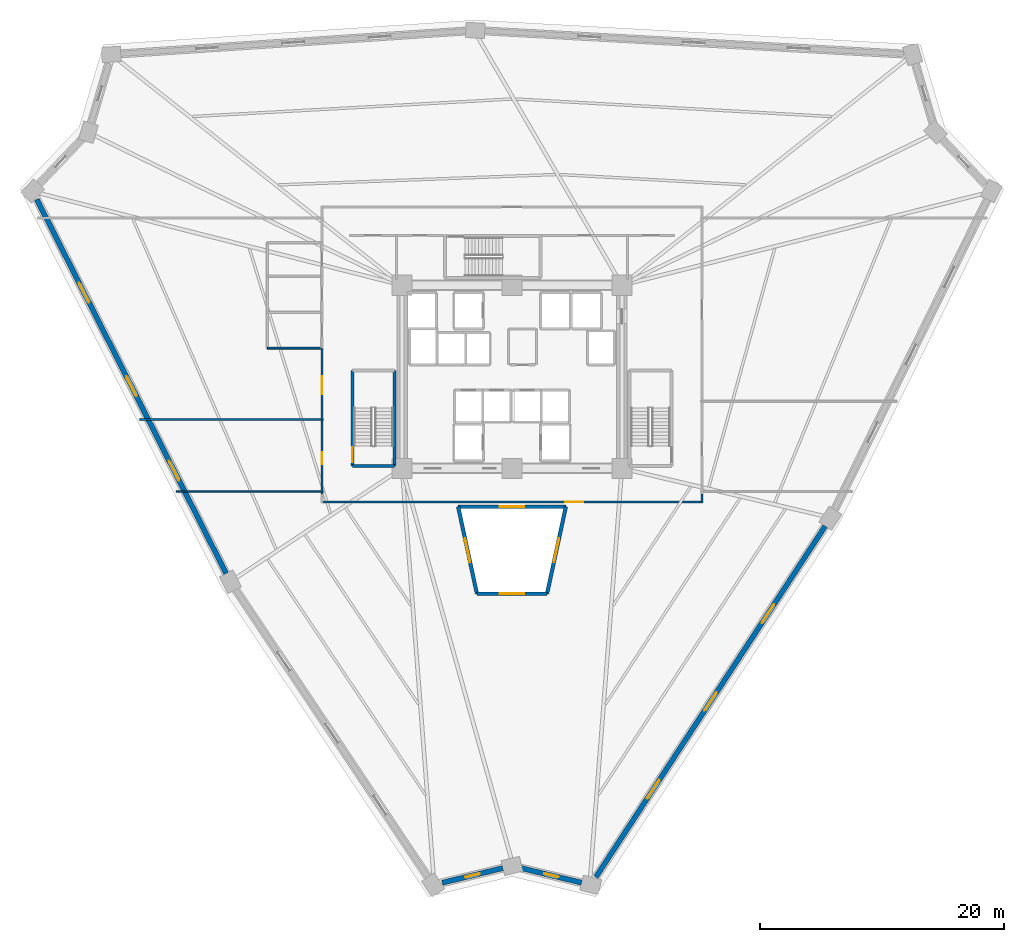
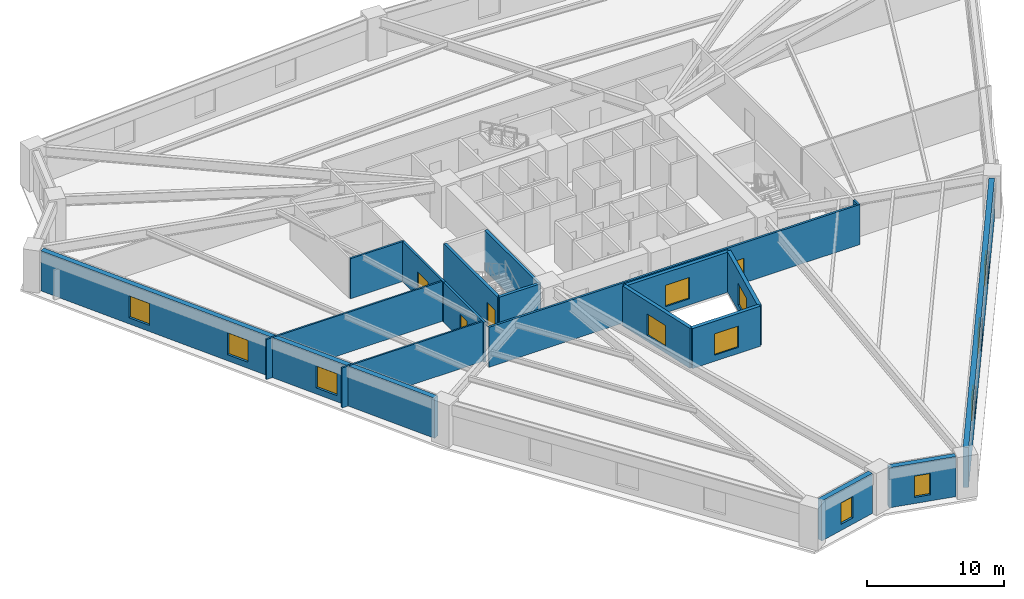
# One storey, part 3 of 8: 18 walls, 12 windows, 4 doors, 16 openings.
"""IFC4 building model written with IfcOpenShell, lengths in metres."""

from ifc_helpers import new_model, si_unit, direction, frame, frame_2d, origin, place, context, subcontext, project, spatial, rectangle, extrude, source, transform, mapped, material, layer, layer_set, type_object, element, fill, save


model = new_model("IFC4")

# Units and contexts
model_context = context("Model", 3, precision=1e-05, world=origin(), true_north=direction((0.0, 1.0)))
body_context = subcontext(model_context, "Body", "Model", "MODEL_VIEW")
ifc_project = project(units=[si_unit("LENGTHUNIT", "METRE"), si_unit("AREAUNIT", "SQUARE_METRE"), si_unit("VOLUMEUNIT", "CUBIC_METRE"), si_unit("PLANEANGLEUNIT", "RADIAN"), si_unit("MASSUNIT", "GRAM", prefix="KILO")], contexts=[model_context])

# Site, building, storey
site_placement = place(None, origin())
site = spatial("IfcSite", under=ifc_project, at=site_placement, CompositionType="ELEMENT")
building_placement = place(site_placement, origin())
building = spatial("IfcBuilding", under=site, at=building_placement, Name="Liaohun Quay Tower", CompositionType="ELEMENT")
storey_placement = place(building_placement, frame((0.0, 0.0, 36.0)))
storey = spatial("IfcBuildingStorey", under=building, at=storey_placement, Name="L09", CompositionType="ELEMENT", Elevation=36.0)

# Wall, opening, window
ifc_material_1 = material(Name="Concrete C50", Category="concrete")
ifc_layer_1 = layer(ifc_material_1, 0.300048828125, Name="Concrete C50", Category="concrete")
ifc_layer_set_1 = layer_set([ifc_layer_1], Name="Concrete C50")
wall_type_1 = type_object("IfcWallType", Name="WAL-ATR-300", PredefinedType="SOLIDWALL", material=ifc_layer_set_1)
wall_1_placement = place(storey_placement, frame((57.133056640625, 36.22998046875, 0.0), z_axis=(0.0, 0.0, 1.0), x_axis=(-0.211350050716, 0.97741043378, 0.0)))
wall_1 = element("IfcWall", 1, at=wall_1_placement, inside=storey, type_object=wall_type_1, Name="L09 Atrium Fire Compartment Wall 1", PredefinedType="SOLIDWALL", context=body_context, shape_type="SweptSolid", body=[
    extrude(rectangle(XDim=7.30517578125, YDim=0.300048828125, at=frame_2d((3.652587890625, 0.0))), origin(), (0.0, 0.0, 1.0), 3.570068359375),
])
shared_shape_1 = source(origin(), body_context, "Body", "SweptSolid", [
    extrude(rectangle(XDim=2.0, YDim=1.89990234375, at=frame_2d((1.0, 0.949951171875))), frame((0.0, 0.159912109375, 0.0), z_axis=(0.0, -1.0, 0.0), x_axis=(1.0, 0.0, 0.0)), (0.0, 0.0, 1.0), 0.320068359375),
])
opening_1_placement = place(wall_1_placement, frame((2.653076171875, 0.0, 0.550048828125)))
opening_1 = element("IfcOpeningElement", 2, at=opening_1_placement, cuts=wall_1, Name="Opening W07", PredefinedType="OPENING", context=body_context, shape_type="MappedRepresentation", body=[
    mapped(shared_shape_1, transform((0.0, 0.0, 0.0), x_axis=(1.0, 0.0, 0.0), y_axis=(0.0, 1.0, 0.0), z_axis=(0.0, 0.0, 1.0), scale=1.0)),
])
ifc_material_2 = material(Name="Class A 180-min fire-resistant insulated glazing", Category="glass")
window_type_1 = type_object("IfcWindowType", Name="WIN-ATR-FIR", PartitioningType="DOUBLE_PANEL_VERTICAL", PredefinedType="WINDOW", material=ifc_material_2)
shared_shape_2 = source(origin(), body_context, "Body", "SweptSolid", [
    extrude(rectangle(XDim=2.0, YDim=1.89990234375, at=frame_2d((1.0, 0.949951171875))), frame((0.0, 0.030029296875, 0.0), z_axis=(0.0, -1.0, 0.0), x_axis=(1.0, 0.0, 0.0)), (0.0, 0.0, 1.0), 0.06005859375),
])
window_1_placement = place(opening_1_placement, origin())
window_1 = element("IfcWindow", 3, at=window_1_placement, inside=storey, type_object=window_type_1, Name="L09 Atrium Fire-Resistant Glazing W07-1", OverallHeight=1.89990234375, OverallWidth=2.0, PartitioningType="DOUBLE_PANEL_VERTICAL", PredefinedType="WINDOW", context=body_context, shape_type="MappedRepresentation", body=[
    mapped(shared_shape_2, transform((0.0, 0.0, 0.0), x_axis=(1.0, 0.0, 0.0), y_axis=(0.0, 1.0, 0.0), z_axis=(0.0, 0.0, 1.0), scale=1.0)),
])
fill(opening_1, window_1)

wall_2_placement = place(storey_placement, frame((55.589111328125, 43.3701171875, 0.0), z_axis=(0.0, 0.0, 1.0), x_axis=(1.0, 0.0, 0.0)))
wall_2 = element("IfcWall", 4, at=wall_2_placement, inside=storey, type_object=wall_type_1, Name="L09 Atrium Fire Compartment Wall 2", PredefinedType="SOLIDWALL", context=body_context, shape_type="SweptSolid", body=[
    extrude(rectangle(XDim=8.82177734375, YDim=0.300048828125, at=frame_2d((4.410888671875, 0.0))), origin(), (0.0, 0.0, 1.0), 3.570068359375),
])
opening_2_placement = place(wall_2_placement, frame((3.410888671875, 0.0, 0.550048828125)))
opening_2 = element("IfcOpeningElement", 5, at=opening_2_placement, cuts=wall_2, Name="Opening W07", PredefinedType="OPENING", context=body_context, shape_type="MappedRepresentation", body=[
    mapped(shared_shape_1, transform((0.0, 0.0, 0.0), x_axis=(1.0, 0.0, 0.0), y_axis=(0.0, 1.0, 0.0), z_axis=(0.0, 0.0, 1.0), scale=1.0)),
])
window_2_placement = place(opening_2_placement, origin())
window_2 = element("IfcWindow", 6, at=window_2_placement, inside=storey, type_object=window_type_1, Name="L09 Atrium Fire-Resistant Glazing W07-2", OverallHeight=1.89990234375, OverallWidth=2.0, PartitioningType="DOUBLE_PANEL_VERTICAL", PredefinedType="WINDOW", context=body_context, shape_type="MappedRepresentation", body=[
    mapped(shared_shape_2, transform((0.0, 0.0, 0.0), x_axis=(1.0, 0.0, 0.0), y_axis=(0.0, 1.0, 0.0), z_axis=(0.0, 0.0, 1.0), scale=1.0)),
])
fill(opening_2, window_2)

wall_3_placement = place(storey_placement, frame((64.410888671875, 43.3701171875, 0.0), z_axis=(0.0, 0.0, 1.0), x_axis=(-0.211350050716, -0.97741043378, 0.0)))
wall_3 = element("IfcWall", 7, at=wall_3_placement, inside=storey, type_object=wall_type_1, Name="L09 Atrium Fire Compartment Wall 3", PredefinedType="SOLIDWALL", context=body_context, shape_type="SweptSolid", body=[
    extrude(rectangle(XDim=7.30517578125, YDim=0.300048828125, at=frame_2d((3.652587890625, 0.0))), origin(), (0.0, 0.0, 1.0), 3.570068359375),
])
opening_3_placement = place(wall_3_placement, frame((2.653076171875, 0.0, 0.550048828125)))
opening_3 = element("IfcOpeningElement", 8, at=opening_3_placement, cuts=wall_3, Name="Opening W07", PredefinedType="OPENING", context=body_context, shape_type="MappedRepresentation", body=[
    mapped(shared_shape_1, transform((0.0, 0.0, 0.0), x_axis=(1.0, 0.0, 0.0), y_axis=(0.0, 1.0, 0.0), z_axis=(0.0, 0.0, 1.0), scale=1.0)),
])
window_3_placement = place(opening_3_placement, origin())
window_3 = element("IfcWindow", 9, at=window_3_placement, inside=storey, type_object=window_type_1, Name="L09 Atrium Fire-Resistant Glazing W07-3", OverallHeight=1.89990234375, OverallWidth=2.0, PartitioningType="DOUBLE_PANEL_VERTICAL", PredefinedType="WINDOW", context=body_context, shape_type="MappedRepresentation", body=[
    mapped(shared_shape_2, transform((0.0, 0.0, 0.0), x_axis=(1.0, 0.0, 0.0), y_axis=(0.0, 1.0, 0.0), z_axis=(0.0, 0.0, 1.0), scale=1.0)),
])
fill(opening_3, window_3)

wall_4_placement = place(storey_placement, frame((62.866943359375, 36.22998046875, 0.0), z_axis=(0.0, 0.0, 1.0), x_axis=(-1.0, 0.0, 0.0)))
wall_4 = element("IfcWall", 10, at=wall_4_placement, inside=storey, type_object=wall_type_1, Name="L09 Atrium Fire Compartment Wall 4", PredefinedType="SOLIDWALL", context=body_context, shape_type="SweptSolid", body=[
    extrude(rectangle(XDim=5.73388671875, YDim=0.300048828125, at=frame_2d((2.866943359375, 0.0))), origin(), (0.0, 0.0, 1.0), 3.570068359375),
])
opening_4_placement = place(wall_4_placement, frame((1.866943359375, 0.0, 0.550048828125)))
opening_4 = element("IfcOpeningElement", 11, at=opening_4_placement, cuts=wall_4, Name="Opening W07", PredefinedType="OPENING", context=body_context, shape_type="MappedRepresentation", body=[
    mapped(shared_shape_1, transform((0.0, 0.0, 0.0), x_axis=(1.0, 0.0, 0.0), y_axis=(0.0, 1.0, 0.0), z_axis=(0.0, 0.0, 1.0), scale=1.0)),
])
window_4_placement = place(opening_4_placement, origin())
window_4 = element("IfcWindow", 12, at=window_4_placement, inside=storey, type_object=window_type_1, Name="L09 Atrium Fire-Resistant Glazing W07-4", OverallHeight=1.89990234375, OverallWidth=2.0, PartitioningType="DOUBLE_PANEL_VERTICAL", PredefinedType="WINDOW", context=body_context, shape_type="MappedRepresentation", body=[
    mapped(shared_shape_2, transform((0.0, 0.0, 0.0), x_axis=(1.0, 0.0, 0.0), y_axis=(0.0, 1.0, 0.0), z_axis=(0.0, 0.0, 1.0), scale=1.0)),
])
fill(opening_4, window_4)

ifc_material_3 = material(Name="Precast concrete C50 insulated sandwich", Category="concrete")
ifc_layer_2 = layer(ifc_material_3, 0.419921875, Name="Precast concrete C50 insulated sandwich", Category="concrete")
ifc_layer_set_2 = layer_set([ifc_layer_2], Name="Precast concrete C50 insulated sandwich")
wall_type_2 = type_object("IfcWallType", Name="WAL-EXT-Z12", PredefinedType="SOLIDWALL", material=ifc_layer_set_2)
wall_5_placement = place(storey_placement, frame((60.743896484375, 13.77587890625, 0.0), z_axis=(0.0, 0.0, 1.0), x_axis=(0.972105159674, -0.234545429577, 0.0)))
wall_5 = element("IfcWall", 13, at=wall_5_placement, inside=storey, type_object=wall_type_2, Name="L09 Brutalist Precast Pier Wall 01", PredefinedType="SOLIDWALL", context=body_context, shape_type="SweptSolid", body=[
    extrude(rectangle(XDim=5.1025390625, YDim=0.419921875, at=frame_2d((2.55126953125, 0.0))), origin(), (0.0, 0.0, 1.0), 3.570068359375),
])
shared_shape_3 = source(origin(), body_context, "Body", "SweptSolid", [
    extrude(rectangle(XDim=1.199951171875, YDim=1.89990234375, at=frame_2d((0.60009765625, 0.949951171875))), frame((0.0, 0.219970703125, 0.0), z_axis=(0.0, -1.0, 0.0), x_axis=(1.0, 0.0, 0.0)), (0.0, 0.0, 1.0), 0.43994140625),
])
opening_5_placement = place(wall_5_placement, frame((1.950927734375, 0.0, 0.550048828125)))
opening_5 = element("IfcOpeningElement", 14, at=opening_5_placement, cuts=wall_5, Name="Opening W05", PredefinedType="OPENING", context=body_context, shape_type="MappedRepresentation", body=[
    mapped(shared_shape_3, transform((0.0, 0.0, 0.0), x_axis=(1.0, 0.0, 0.0), y_axis=(0.0, 1.0, 0.0), z_axis=(0.0, 0.0, 1.0), scale=1.0)),
])
ifc_material_4 = material(Name="Triple Low-E corner notch glazing", Category="glass")
window_type_2 = type_object("IfcWindowType", Name="WIN-NOTCH", PartitioningType="SINGLE_PANEL", PredefinedType="WINDOW", material=ifc_material_4)
shared_shape_4 = source(origin(), body_context, "Body", "SweptSolid", [
    extrude(rectangle(XDim=1.199951171875, YDim=1.89990234375, at=frame_2d((0.60009765625, 0.949951171875))), frame((0.0, 0.030029296875, 0.0), z_axis=(0.0, -1.0, 0.0), x_axis=(1.0, 0.0, 0.0)), (0.0, 0.0, 1.0), 0.06005859375),
])
window_5_placement = place(opening_5_placement, origin())
window_5 = element("IfcWindow", 15, at=window_5_placement, inside=storey, type_object=window_type_2, Name="L09 Corner Notch Window W05-01", OverallHeight=1.89990234375, OverallWidth=1.199951171875, PartitioningType="SINGLE_PANEL", PredefinedType="WINDOW", context=body_context, shape_type="MappedRepresentation", body=[
    mapped(shared_shape_4, transform((0.0, 0.0, 0.0), x_axis=(1.0, 0.0, 0.0), y_axis=(0.0, 1.0, 0.0), z_axis=(0.0, 0.0, 1.0), scale=1.0)),
])
fill(opening_5, window_5)

# Wall, openings, windows
wall_6_placement = place(storey_placement, frame((66.865966796875, 13.0390625, 0.0), z_axis=(0.0, 0.0, 1.0), x_axis=(0.546962537422, 0.837157083621, 0.0)))
wall_6 = element("IfcWall", 16, at=wall_6_placement, inside=storey, type_object=wall_type_2, Name="L09 Brutalist Precast Pier Wall 02", PredefinedType="SOLIDWALL", context=body_context, shape_type="SweptSolid", body=[
    extrude(rectangle(XDim=34.335205078125, YDim=0.419921875, at=frame_2d((17.16748046875, 0.0))), origin(), (0.0, 0.0, 1.0), 3.570068359375),
])
shared_shape_5 = source(origin(), body_context, "Body", "SweptSolid", [
    extrude(rectangle(XDim=1.800048828125, YDim=1.949951171875, at=frame_2d((0.89990234375, 0.97509765625))), frame((0.0, 0.219970703125, 0.0), z_axis=(0.0, -1.0, 0.0), x_axis=(1.0, 0.0, 0.0)), (0.0, 0.0, 1.0), 0.43994140625),
])
opening_6_placement = place(wall_6_placement, frame((7.68408203125, 0.0, 0.550048828125)))
opening_6 = element("IfcOpeningElement", 17, at=opening_6_placement, cuts=wall_6, Name="Opening W01", PredefinedType="OPENING", context=body_context, shape_type="MappedRepresentation", body=[
    mapped(shared_shape_5, transform((0.0, 0.0, 0.0), x_axis=(1.0, 0.0, 0.0), y_axis=(0.0, 1.0, 0.0), z_axis=(0.0, 0.0, 1.0), scale=1.0)),
])
opening_7_placement = place(wall_6_placement, frame((16.26806640625, 0.0, 0.550048828125)))
opening_7 = element("IfcOpeningElement", 18, at=opening_7_placement, cuts=wall_6, Name="Opening W01", PredefinedType="OPENING", context=body_context, shape_type="MappedRepresentation", body=[
    mapped(shared_shape_5, transform((0.0, 0.0, 0.0), x_axis=(1.0, 0.0, 0.0), y_axis=(0.0, 1.0, 0.0), z_axis=(0.0, 0.0, 1.0), scale=1.0)),
])
opening_8_placement = place(wall_6_placement, frame((24.85107421875, 0.0, 0.550048828125)))
opening_8 = element("IfcOpeningElement", 19, at=opening_8_placement, cuts=wall_6, Name="Opening W01", PredefinedType="OPENING", context=body_context, shape_type="MappedRepresentation", body=[
    mapped(shared_shape_5, transform((0.0, 0.0, 0.0), x_axis=(1.0, 0.0, 0.0), y_axis=(0.0, 1.0, 0.0), z_axis=(0.0, 0.0, 1.0), scale=1.0)),
])
ifc_material_5 = material(Name="Triple Low-E argon glazing in thermally broken aluminium", Category="aluminium")
window_type_3 = type_object("IfcWindowType", Name="WIN-PUN-Z1", PartitioningType="DOUBLE_PANEL_VERTICAL", PredefinedType="WINDOW", material=ifc_material_5)
shared_shape_6 = source(origin(), body_context, "Body", "SweptSolid", [
    extrude(rectangle(XDim=1.800048828125, YDim=1.949951171875, at=frame_2d((0.89990234375, 0.97509765625))), frame((0.0, 0.030029296875, 0.0), z_axis=(0.0, -1.0, 0.0), x_axis=(1.0, 0.0, 0.0)), (0.0, 0.0, 1.0), 0.06005859375),
])
window_6_placement = place(opening_6_placement, origin())
window_6 = element("IfcWindow", 20, at=window_6_placement, inside=storey, type_object=window_type_3, Name="L09 Recessed Cold-Climate Punched Window 02-1", OverallHeight=1.949951171875, OverallWidth=1.800048828125, PartitioningType="DOUBLE_PANEL_VERTICAL", PredefinedType="WINDOW", context=body_context, shape_type="MappedRepresentation", body=[
    mapped(shared_shape_6, transform((0.0, 0.0, 0.0), x_axis=(1.0, 0.0, 0.0), y_axis=(0.0, 1.0, 0.0), z_axis=(0.0, 0.0, 1.0), scale=1.0)),
])
fill(opening_6, window_6)
window_7_placement = place(opening_7_placement, origin())
window_7 = element("IfcWindow", 21, at=window_7_placement, inside=storey, type_object=window_type_3, Name="L09 Recessed Cold-Climate Punched Window 02-2", OverallHeight=1.949951171875, OverallWidth=1.800048828125, PartitioningType="DOUBLE_PANEL_VERTICAL", PredefinedType="WINDOW", context=body_context, shape_type="MappedRepresentation", body=[
    mapped(shared_shape_6, transform((0.0, 0.0, 0.0), x_axis=(1.0, 0.0, 0.0), y_axis=(0.0, 1.0, 0.0), z_axis=(0.0, 0.0, 1.0), scale=1.0)),
])
fill(opening_7, window_7)
window_8_placement = place(opening_8_placement, origin())
window_8 = element("IfcWindow", 22, at=window_8_placement, inside=storey, type_object=window_type_3, Name="L09 Recessed Cold-Climate Punched Window 02-3", OverallHeight=1.949951171875, OverallWidth=1.800048828125, PartitioningType="DOUBLE_PANEL_VERTICAL", PredefinedType="WINDOW", context=body_context, shape_type="MappedRepresentation", body=[
    mapped(shared_shape_6, transform((0.0, 0.0, 0.0), x_axis=(1.0, 0.0, 0.0), y_axis=(0.0, 1.0, 0.0), z_axis=(0.0, 0.0, 1.0), scale=1.0)),
])
fill(opening_8, window_8)

wall_7_placement = place(storey_placement, frame((21.093017578125, 68.533935546875, 0.0), z_axis=(0.0, 0.0, 1.0), x_axis=(0.451540292752, -0.892250729348, 0.0)))
wall_7 = element("IfcWall", 23, at=wall_7_placement, inside=storey, type_object=wall_type_2, Name="L09 Brutalist Precast Pier Wall 10", PredefinedType="SOLIDWALL", context=body_context, shape_type="SweptSolid", body=[
    extrude(rectangle(XDim=34.33349609375, YDim=0.419921875, at=frame_2d((17.166748046875, 0.0))), origin(), (0.0, 0.0, 1.0), 3.570068359375),
])
opening_9_placement = place(wall_7_placement, frame((7.68310546875, 0.0, 0.550048828125)))
opening_9 = element("IfcOpeningElement", 24, at=opening_9_placement, cuts=wall_7, Name="Opening W01", PredefinedType="OPENING", context=body_context, shape_type="MappedRepresentation", body=[
    mapped(shared_shape_5, transform((0.0, 0.0, 0.0), x_axis=(1.0, 0.0, 0.0), y_axis=(0.0, 1.0, 0.0), z_axis=(0.0, 0.0, 1.0), scale=1.0)),
])
opening_10_placement = place(wall_7_placement, frame((16.26708984375, 0.0, 0.550048828125)))
opening_10 = element("IfcOpeningElement", 25, at=opening_10_placement, cuts=wall_7, Name="Opening W01", PredefinedType="OPENING", context=body_context, shape_type="MappedRepresentation", body=[
    mapped(shared_shape_5, transform((0.0, 0.0, 0.0), x_axis=(1.0, 0.0, 0.0), y_axis=(0.0, 1.0, 0.0), z_axis=(0.0, 0.0, 1.0), scale=1.0)),
])
opening_11_placement = place(wall_7_placement, frame((24.0, 0.0, 0.550048828125)))
opening_11 = element("IfcOpeningElement", 26, at=opening_11_placement, cuts=wall_7, Name="Opening W01", PredefinedType="OPENING", context=body_context, shape_type="MappedRepresentation", body=[
    mapped(shared_shape_5, transform((0.0, 0.0, 0.0), x_axis=(1.0, 0.0, 0.0), y_axis=(0.0, 1.0, 0.0), z_axis=(0.0, 0.0, 1.0), scale=1.0)),
])
window_9_placement = place(opening_9_placement, origin())
window_9 = element("IfcWindow", 27, at=window_9_placement, inside=storey, type_object=window_type_3, Name="L09 Recessed Cold-Climate Punched Window 10-1", OverallHeight=1.949951171875, OverallWidth=1.800048828125, PartitioningType="DOUBLE_PANEL_VERTICAL", PredefinedType="WINDOW", context=body_context, shape_type="MappedRepresentation", body=[
    mapped(shared_shape_6, transform((0.0, 0.0, 0.0), x_axis=(1.0, 0.0, 0.0), y_axis=(0.0, 1.0, 0.0), z_axis=(0.0, 0.0, 1.0), scale=1.0)),
])
fill(opening_9, window_9)
window_10_placement = place(opening_10_placement, origin())
window_10 = element("IfcWindow", 28, at=window_10_placement, inside=storey, type_object=window_type_3, Name="L09 Recessed Cold-Climate Punched Window 10-2", OverallHeight=1.949951171875, OverallWidth=1.800048828125, PartitioningType="DOUBLE_PANEL_VERTICAL", PredefinedType="WINDOW", context=body_context, shape_type="MappedRepresentation", body=[
    mapped(shared_shape_6, transform((0.0, 0.0, 0.0), x_axis=(1.0, 0.0, 0.0), y_axis=(0.0, 1.0, 0.0), z_axis=(0.0, 0.0, 1.0), scale=1.0)),
])
fill(opening_10, window_10)
window_11_placement = place(opening_11_placement, origin())
window_11 = element("IfcWindow", 29, at=window_11_placement, inside=storey, type_object=window_type_3, Name="L09 Recessed Cold-Climate Punched Window 10-3", OverallHeight=1.949951171875, OverallWidth=1.800048828125, PartitioningType="DOUBLE_PANEL_VERTICAL", PredefinedType="WINDOW", context=body_context, shape_type="MappedRepresentation", body=[
    mapped(shared_shape_6, transform((0.0, 0.0, 0.0), x_axis=(1.0, 0.0, 0.0), y_axis=(0.0, 1.0, 0.0), z_axis=(0.0, 0.0, 1.0), scale=1.0)),
])
fill(opening_11, window_11)

# Wall, opening, window
wall_8_placement = place(storey_placement, frame((54.2900390625, 12.576904296875, 0.0), z_axis=(0.0, 0.0, 1.0), x_axis=(0.972070179576, 0.234690361924, 0.0)))
wall_8 = element("IfcWall", 30, at=wall_8_placement, inside=storey, type_object=wall_type_2, Name="L09 Brutalist Precast Pier Wall 12", PredefinedType="SOLIDWALL", context=body_context, shape_type="SweptSolid", body=[
    extrude(rectangle(XDim=5.108642578125, YDim=0.419921875, at=frame_2d((2.55419921875, 0.0))), origin(), (0.0, 0.0, 1.0), 3.570068359375),
])
opening_12_placement = place(wall_8_placement, frame((1.9541015625, 0.0, 0.550048828125)))
opening_12 = element("IfcOpeningElement", 31, at=opening_12_placement, cuts=wall_8, Name="Opening W05", PredefinedType="OPENING", context=body_context, shape_type="MappedRepresentation", body=[
    mapped(shared_shape_3, transform((0.0, 0.0, 0.0), x_axis=(1.0, 0.0, 0.0), y_axis=(0.0, 1.0, 0.0), z_axis=(0.0, 0.0, 1.0), scale=1.0)),
])
window_12_placement = place(opening_12_placement, origin())
window_12 = element("IfcWindow", 32, at=window_12_placement, inside=storey, type_object=window_type_2, Name="L09 Corner Notch Window W05-12", OverallHeight=1.89990234375, OverallWidth=1.199951171875, PartitioningType="SINGLE_PANEL", PredefinedType="WINDOW", context=body_context, shape_type="MappedRepresentation", body=[
    mapped(shared_shape_4, transform((0.0, 0.0, 0.0), x_axis=(1.0, 0.0, 0.0), y_axis=(0.0, 1.0, 0.0), z_axis=(0.0, 0.0, 1.0), scale=1.0)),
])
fill(opening_12, window_12)

# Wall, opening, door
ifc_material_6 = material(Name="Autoclaved aerated concrete blockwork", Category="masonry")
ifc_layer_3 = layer(ifc_material_6, 0.179931640625, Name="Autoclaved aerated concrete blockwork", Category="masonry")
ifc_layer_set_3 = layer_set([ifc_layer_3], Name="Autoclaved aerated concrete blockwork")
wall_type_3 = type_object("IfcWallType", Name="WAL-PRT-COR", PredefinedType="PARTITIONING", material=ifc_layer_set_3)
wall_9_placement = place(storey_placement, frame((44.43994140625, 50.284912109375, 0.0), z_axis=(0.0, 0.0, 1.0), x_axis=(0.0, 1.0, 0.0)))
wall_9 = element("IfcWall", 33, at=wall_9_placement, inside=storey, type_object=wall_type_3, Name="L09 Interior Partition Wall 011", PredefinedType="PARTITIONING", context=body_context, shape_type="SweptSolid", body=[
    extrude(rectangle(XDim=6.05517578125, YDim=0.179931640625, at=frame_2d((3.027587890625, 0.0))), origin(), (0.0, 0.0, 1.0), 3.570068359375),
])
shared_shape_7 = source(origin(), body_context, "Body", "SweptSolid", [
    extrude(rectangle(XDim=1.5, YDim=2.199951171875, at=frame_2d((0.75, 1.10009765625))), frame((0.0, 0.099853515625, 0.0), z_axis=(0.0, -1.0, 0.0), x_axis=(1.0, 0.0, 0.0)), (0.0, 0.0, 1.0), 0.199951171875),
])
opening_13_placement = place(wall_9_placement, frame((2.278076171875, 0.0, 0.0)))
opening_13 = element("IfcOpeningElement", 34, at=opening_13_placement, cuts=wall_9, Name="Opening OD2", PredefinedType="OPENING", context=body_context, shape_type="MappedRepresentation", body=[
    mapped(shared_shape_7, transform((0.0, 0.0, 0.0), x_axis=(1.0, 0.0, 0.0), y_axis=(0.0, 1.0, 0.0), z_axis=(0.0, 0.0, 1.0), scale=1.0)),
])
ifc_material_7 = material(Name="Acoustic oak veneer double door")
door_type_1 = type_object("IfcDoorType", Name="DOR-OFF-1500", OperationType="DOUBLE_DOOR_SINGLE_SWING", PredefinedType="DOOR", material=ifc_material_7)
shared_shape_8 = source(origin(), body_context, "Body", "SweptSolid", [
    extrude(rectangle(XDim=1.5, YDim=2.199951171875, at=frame_2d((0.75, 1.10009765625))), frame((0.0, 0.02490234375, 0.0), z_axis=(0.0, -1.0, 0.0), x_axis=(1.0, 0.0, 0.0)), (0.0, 0.0, 1.0), 0.050048828125),
])
door_1_placement = place(opening_13_placement, origin())
door_1 = element("IfcDoor", 35, at=door_1_placement, inside=storey, type_object=door_type_1, Name="L09 Architectural Design Studio 03 Door", OperationType="DOUBLE_DOOR_SINGLE_SWING", OverallHeight=2.199951171875, OverallWidth=1.5, PredefinedType="DOOR", context=body_context, shape_type="MappedRepresentation", body=[
    mapped(shared_shape_8, transform((0.0, 0.0, 0.0), x_axis=(1.0, 0.0, 0.0), y_axis=(0.0, 1.0, 0.0), z_axis=(0.0, 0.0, 1.0), scale=1.0)),
])
fill(opening_13, door_1)

wall_10_placement = place(storey_placement, frame((44.43994140625, 44.385009765625, 0.0), z_axis=(0.0, 0.0, 1.0), x_axis=(0.0, 1.0, 0.0)))
wall_10 = element("IfcWall", 36, at=wall_10_placement, inside=storey, type_object=wall_type_3, Name="L09 Interior Partition Wall 012", PredefinedType="PARTITIONING", context=body_context, shape_type="SweptSolid", body=[
    extrude(rectangle(XDim=5.89990234375, YDim=0.179931640625, at=frame_2d((2.949951171875, 0.0))), origin(), (0.0, 0.0, 1.0), 3.570068359375),
])
shared_shape_9 = source(origin(), body_context, "Body", "SweptSolid", [
    extrude(rectangle(XDim=1.0, YDim=2.199951171875, at=frame_2d((0.5, 1.10009765625))), frame((0.0, 0.099853515625, 0.0), z_axis=(0.0, -1.0, 0.0), x_axis=(1.0, 0.0, 0.0)), (0.0, 0.0, 1.0), 0.199951171875),
])
opening_14_placement = place(wall_10_placement, frame((2.449951171875, 0.0, 0.0)))
opening_14 = element("IfcOpeningElement", 37, at=opening_14_placement, cuts=wall_10, Name="Opening OD1", PredefinedType="OPENING", context=body_context, shape_type="MappedRepresentation", body=[
    mapped(shared_shape_9, transform((0.0, 0.0, 0.0), x_axis=(1.0, 0.0, 0.0), y_axis=(0.0, 1.0, 0.0), z_axis=(0.0, 0.0, 1.0), scale=1.0)),
])
ifc_material_8 = material(Name="Solid-core oak veneer timber leaf in steel frame", Category="steel")
door_type_2 = type_object("IfcDoorType", Name="DOR-OFF-1000", OperationType="NOTDEFINED", PredefinedType="DOOR", material=ifc_material_8)
shared_shape_10 = source(origin(), body_context, "Body", "SweptSolid", [
    extrude(rectangle(XDim=1.0, YDim=2.199951171875, at=frame_2d((0.5, 1.10009765625))), frame((0.0, 0.02490234375, 0.0), z_axis=(0.0, -1.0, 0.0), x_axis=(1.0, 0.0, 0.0)), (0.0, 0.0, 1.0), 0.050048828125),
])
door_2_placement = place(opening_14_placement, origin())
door_2 = element("IfcDoor", 38, at=door_2_placement, inside=storey, type_object=door_type_2, Name="L09 Project Collaboration Studio 04 Door", OperationType="SINGLE_SWING_LEFT", OverallHeight=2.199951171875, OverallWidth=1.0, PredefinedType="DOOR", context=body_context, shape_type="MappedRepresentation", body=[
    mapped(shared_shape_10, transform((0.0, 0.0, 0.0), x_axis=(1.0, 0.0, 0.0), y_axis=(0.0, 1.0, 0.0), z_axis=(0.0, 0.0, 1.0), scale=1.0)),
])
fill(opening_14, door_2)

wall_11_placement = place(storey_placement, frame((75.6298828125, 43.739990234375, 0.0), z_axis=(0.0, 0.0, 1.0), x_axis=(-1.0, 0.0, 0.0)))
wall_11 = element("IfcWall", 39, at=wall_11_placement, inside=storey, type_object=wall_type_3, Name="L09 Interior Partition Wall 013", PredefinedType="PARTITIONING", context=body_context, shape_type="SweptSolid", body=[
    extrude(rectangle(XDim=31.259765625, YDim=0.179931640625, at=frame_2d((15.6298828125, 0.0))), origin(), (0.0, 0.0, 1.0), 3.570068359375),
])
opening_15_placement = place(wall_11_placement, frame((9.780029296875, 0.0, 0.0)))
opening_15 = element("IfcOpeningElement", 40, at=opening_15_placement, cuts=wall_11, Name="Opening OD2", PredefinedType="OPENING", context=body_context, shape_type="MappedRepresentation", body=[
    mapped(shared_shape_7, transform((0.0, 0.0, 0.0), x_axis=(1.0, 0.0, 0.0), y_axis=(0.0, 1.0, 0.0), z_axis=(0.0, 0.0, 1.0), scale=1.0)),
])
door_3_placement = place(opening_15_placement, origin())
door_3 = element("IfcDoor", 41, at=door_3_placement, inside=storey, type_object=door_type_1, Name="L09 Technical Reference Library 05 Door", OperationType="DOUBLE_DOOR_SINGLE_SWING", OverallHeight=2.199951171875, OverallWidth=1.5, PredefinedType="DOOR", context=body_context, shape_type="MappedRepresentation", body=[
    mapped(shared_shape_8, transform((0.0, 0.0, 0.0), x_axis=(1.0, 0.0, 0.0), y_axis=(0.0, 1.0, 0.0), z_axis=(0.0, 0.0, 1.0), scale=1.0)),
])
fill(opening_15, door_3)

# Walls
wall_12_placement = place(storey_placement, frame((75.56005859375, 44.385009765625, 0.0), z_axis=(0.0, 0.0, 1.0), x_axis=(0.0, -1.0, 0.0)))
element("IfcWall", 42, at=wall_12_placement, inside=storey, type_object=wall_type_3, Name="L09 Interior Partition Wall 029", PredefinedType="PARTITIONING", context=body_context, shape_type="SweptSolid", body=[
    extrude(rectangle(XDim=0.715087890625, YDim=0.179931640625, at=frame_2d((0.357421875, 0.0))), origin(), (0.0, 0.0, 1.0), 3.570068359375),
])
ifc_material_9 = material(Name="Gypsum board on twin steel studs", Category="steel")
ifc_layer_4 = layer(ifc_material_9, 0.139892578125, Name="Gypsum board on twin steel studs", Category="steel")
ifc_layer_set_4 = layer_set([ifc_layer_4], Name="Gypsum board on twin steel studs")
wall_type_4 = type_object("IfcWallType", Name="WAL-PRT-OFF", PredefinedType="PARTITIONING", material=ifc_layer_set_4)
wall_13_placement = place(storey_placement, frame((44.5400390625, 44.60009765625, 0.0), z_axis=(0.0, 0.0, 1.0), x_axis=(-1.0, 0.0, 0.0)))
element("IfcWall", 43, at=wall_13_placement, inside=storey, type_object=wall_type_4, Name="L09 Interior Partition Wall 030", PredefinedType="PARTITIONING", context=body_context, shape_type="SweptSolid", body=[
    extrude(rectangle(XDim=12.041015625, YDim=0.139892578125, at=frame_2d((6.0205078125, 0.0))), origin(), (0.0, 0.0, 1.0), 3.570068359375),
])
wall_14_placement = place(storey_placement, frame((44.5400390625, 50.5, 0.0), z_axis=(0.0, 0.0, 1.0), x_axis=(-1.0, 0.0, 0.0)))
element("IfcWall", 44, at=wall_14_placement, inside=storey, type_object=wall_type_4, Name="L09 Interior Partition Wall 031", PredefinedType="PARTITIONING", context=body_context, shape_type="SweptSolid", body=[
    extrude(rectangle(XDim=15.027099609375, YDim=0.139892578125, at=frame_2d((7.513671875, 0.0))), origin(), (0.0, 0.0, 1.0), 3.570068359375),
])
ifc_material_10 = material(Name="Moisture-resistant masonry blockwork", Category="masonry")
ifc_layer_5 = layer(ifc_material_10, 0.159912109375, Name="Moisture-resistant masonry blockwork", Category="masonry")
ifc_layer_set_5 = layer_set([ifc_layer_5], Name="Moisture-resistant masonry blockwork")
wall_type_5 = type_object("IfcWallType", Name="WAL-PRT-WET", PredefinedType="PARTITIONING", material=ifc_layer_set_5)
wall_15_placement = place(storey_placement, frame((39.97998046875, 56.340087890625, 0.0), z_axis=(0.0, 0.0, 1.0), x_axis=(1.0, 0.0, 0.0)))
element("IfcWall", 45, at=wall_15_placement, inside=storey, type_object=wall_type_5, Name="L09 Interior Partition Wall 019", PredefinedType="PARTITIONING", context=body_context, shape_type="SweptSolid", body=[
    extrude(rectangle(XDim=4.4599609375, YDim=0.159912109375, at=frame_2d((2.22998046875, 0.0))), origin(), (0.0, 0.0, 1.0), 3.570068359375),
])
ifc_layer_6 = layer(ifc_material_1, 0.239990234375, Name="Concrete C50", Category="concrete")
ifc_layer_set_6 = layer_set([ifc_layer_6], Name="Concrete C50")
wall_type_6 = type_object("IfcWallType", Name="WAL-SHF-200", PredefinedType="SOLIDWALL", material=ifc_layer_set_6)
wall_16_placement = place(storey_placement, frame((46.93994140625, 46.699951171875, 0.0), z_axis=(0.0, 0.0, 1.0), x_axis=(1.0, 0.0, 0.0)))
element("IfcWall", 46, at=wall_16_placement, inside=storey, type_object=wall_type_6, Name="L09 Stairwell ST-1 Structural Core Wall S", PredefinedType="SOLIDWALL", context=body_context, shape_type="SweptSolid", body=[
    extrude(rectangle(XDim=3.43994140625, YDim=0.239990234375, at=frame_2d((1.719970703125, 0.0))), origin(), (0.0, 0.0, 1.0), 3.570068359375),
])
wall_17_placement = place(storey_placement, frame((50.3798828125, 46.699951171875, 0.0), z_axis=(0.0, 0.0, 1.0), x_axis=(0.0, 1.0, 0.0)))
element("IfcWall", 47, at=wall_17_placement, inside=storey, type_object=wall_type_6, Name="L09 Stairwell ST-1 Structural Core Wall E", PredefinedType="SOLIDWALL", context=body_context, shape_type="SweptSolid", body=[
    extrude(rectangle(XDim=7.820068359375, YDim=0.239990234375, at=frame_2d((3.91015625, 0.0))), origin(), (0.0, 0.0, 1.0), 3.570068359375),
])

# Wall, opening, door
wall_18_placement = place(storey_placement, frame((46.93994140625, 54.52001953125, 0.0), z_axis=(0.0, 0.0, 1.0), x_axis=(0.0, -1.0, 0.0)))
wall_18 = element("IfcWall", 48, at=wall_18_placement, inside=storey, type_object=wall_type_6, Name="L09 Stairwell ST-1 Structural Core Wall W", PredefinedType="SOLIDWALL", context=body_context, shape_type="SweptSolid", body=[
    extrude(rectangle(XDim=7.820068359375, YDim=0.239990234375, at=frame_2d((3.91015625, 0.0))), origin(), (0.0, 0.0, 1.0), 3.570068359375),
])
shared_shape_11 = source(origin(), body_context, "Body", "SweptSolid", [
    extrude(rectangle(XDim=1.199951171875, YDim=2.199951171875, at=frame_2d((0.60009765625, 1.10009765625))), frame((0.0, 0.1298828125, 0.0), z_axis=(0.0, -1.0, 0.0), x_axis=(1.0, 0.0, 0.0)), (0.0, 0.0, 1.0), 0.260009765625),
])
opening_16_placement = place(wall_18_placement, frame((6.300048828125, 0.0, 0.0)))
opening_16 = element("IfcOpeningElement", 49, at=opening_16_placement, cuts=wall_18, Name="Opening SD1", PredefinedType="OPENING", context=body_context, shape_type="MappedRepresentation", body=[
    mapped(shared_shape_11, transform((0.0, 0.0, 0.0), x_axis=(1.0, 0.0, 0.0), y_axis=(0.0, 1.0, 0.0), z_axis=(0.0, 0.0, 1.0), scale=1.0)),
])
ifc_material_11 = material(Name="Galvanised steel fire door", Category="steel")
door_type_3 = type_object("IfcDoorType", Name="DOR-STR-1200", OperationType="NOTDEFINED", PredefinedType="DOOR", material=ifc_material_11)
shared_shape_12 = source(origin(), body_context, "Body", "SweptSolid", [
    extrude(rectangle(XDim=1.199951171875, YDim=2.199951171875, at=frame_2d((0.60009765625, 1.10009765625))), frame((0.0, 0.02490234375, 0.0), z_axis=(0.0, -1.0, 0.0), x_axis=(1.0, 0.0, 0.0)), (0.0, 0.0, 1.0), 0.050048828125),
])
door_4_placement = place(opening_16_placement, origin())
door_4 = element("IfcDoor", 50, at=door_4_placement, inside=storey, type_object=door_type_3, Name="L09 Protected Stair ST-1 Fire Door", OperationType="SINGLE_SWING_LEFT", OverallHeight=2.199951171875, OverallWidth=1.199951171875, PredefinedType="DOOR", context=body_context, shape_type="MappedRepresentation", body=[
    mapped(shared_shape_12, transform((0.0, 0.0, 0.0), x_axis=(1.0, 0.0, 0.0), y_axis=(0.0, 1.0, 0.0), z_axis=(0.0, 0.0, 1.0), scale=1.0)),
])
fill(opening_16, door_4)

save(model, "model.ifc")
